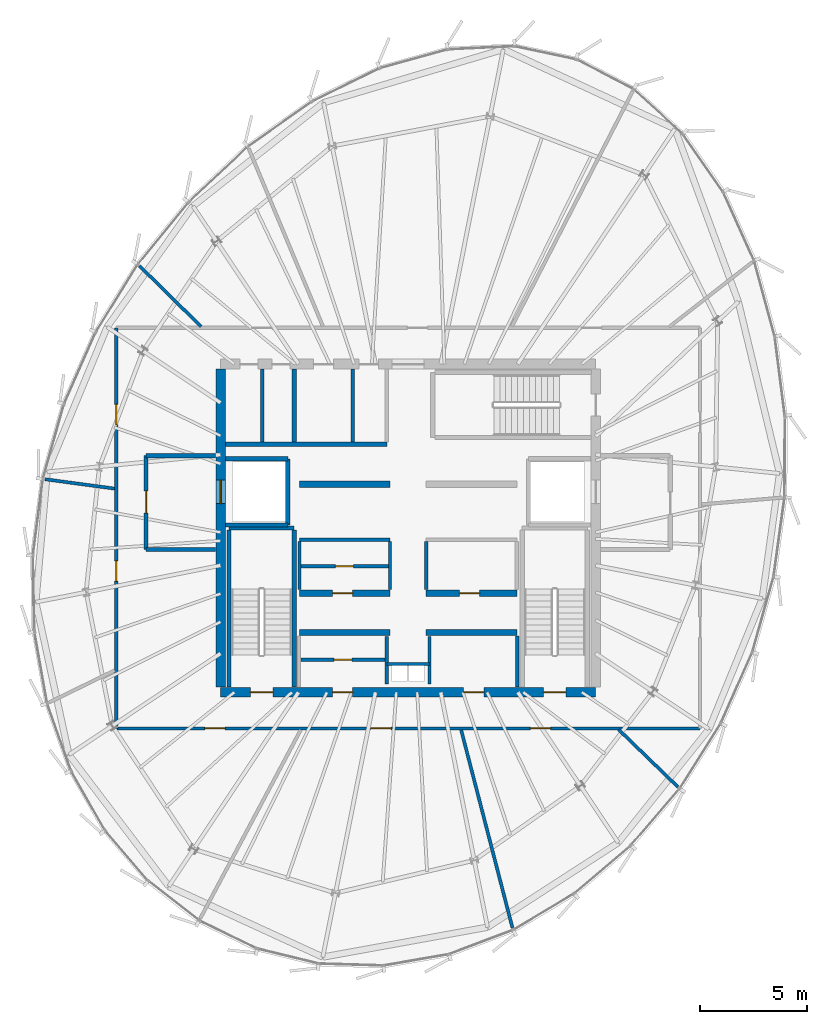
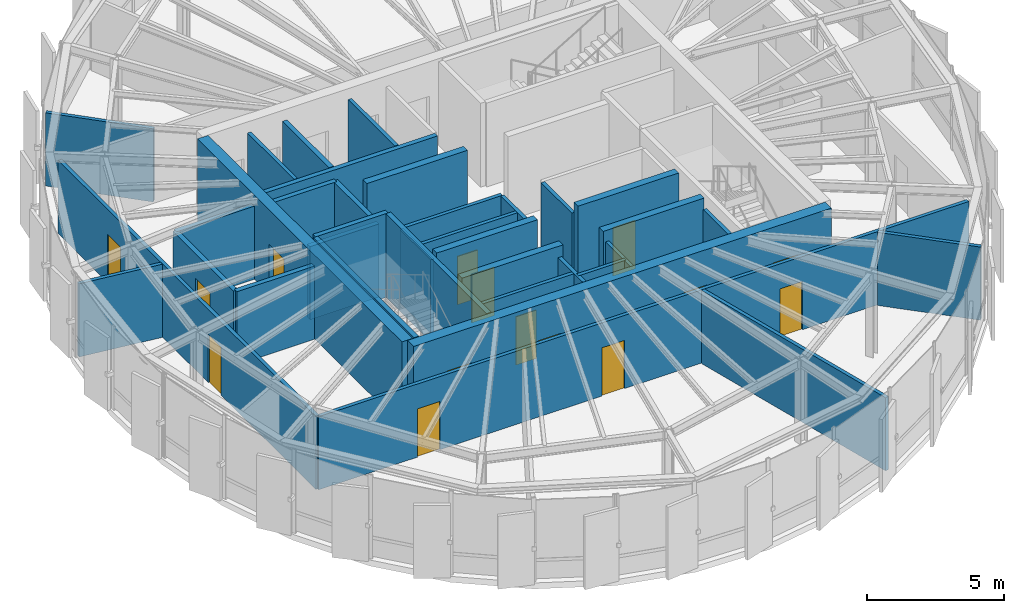
# One storey, part 21 of 26: 36 walls, 15 doors, 15 openings.
"""IFC4 building model written with IfcOpenShell, lengths in metres."""

from ifc_helpers import new_model, si_unit, direction, frame, frame_2d, origin, place, context, subcontext, project, spatial, rectangle, extrude, source, transform, mapped, material, layer, layer_set, type_object, element, fill, save


model = new_model("IFC4")

# Units and contexts
model_context = context("Model", 3, precision=1e-05, world=origin(), true_north=direction((0.0, 1.0)))
body_context = subcontext(model_context, "Body", "Model", "MODEL_VIEW")
ifc_project = project(units=[si_unit("LENGTHUNIT", "METRE"), si_unit("AREAUNIT", "SQUARE_METRE"), si_unit("VOLUMEUNIT", "CUBIC_METRE"), si_unit("PLANEANGLEUNIT", "RADIAN"), si_unit("MASSUNIT", "GRAM", prefix="KILO"), si_unit("THERMODYNAMICTEMPERATUREUNIT", "KELVIN")], contexts=[model_context])

# Site, building, storey
site_placement = place(None, origin())
site = spatial("IfcSite", under=ifc_project, at=site_placement, CompositionType="ELEMENT")
building_placement = place(site_placement, origin())
building = spatial("IfcBuilding", under=site, at=building_placement, Name="Kethvar Cultural Tower", CompositionType="ELEMENT")
storey_placement = place(building_placement, frame((0.0, 0.0, 316.300048828125)))
storey = spatial("IfcBuildingStorey", under=building, at=storey_placement, Name="L84", CompositionType="ELEMENT", Elevation=316.300048828125)

# Wall, openings, doors
ifc_material_1 = material(Name="Concrete C50/60", Category="concrete")
ifc_layer_1 = layer(ifc_material_1, 0.449951171875, Name="Concrete C50/60", Category="concrete")
ifc_layer_set_1 = layer_set([ifc_layer_1], Name="Concrete C50/60 (450 mm)")
wall_type_1 = type_object("IfcWallType", Name="WL-CORE-450", PredefinedType="SHEAR", material=ifc_layer_set_1)
wall_1_placement = place(storey_placement, frame((38.0, 20.10009765625, 0.0), z_axis=(0.0, 0.0, 1.0), x_axis=(1.0, 0.0, 0.0)))
wall_1 = element("IfcWall", 1, at=wall_1_placement, inside=storey, type_object=wall_type_1, Name="L84 Core Shear Wall S", PredefinedType="SHEAR", context=body_context, shape_type="SweptSolid", body=[
    extrude(rectangle(XDim=17.60009765625, YDim=0.449951171875, at=frame_2d((8.800048828125, 0.0))), origin(), (0.0, 0.0, 1.0), 3.73486328125),
])
opening_1_placement = place(wall_1_placement, frame((1.39990234375, 0.0, 0.0)))
opening_1 = element("IfcOpeningElement", 2, at=opening_1_placement, cuts=wall_1, Name="Opening D-L84-S1", PredefinedType="OPENING", context=body_context, shape_type="SweptSolid", body=[
    extrude(rectangle(XDim=1.050048828125, YDim=2.14990234375, at=frame_2d((0.52490234375, 1.074951171875))), frame((0.0, 0.23486328125, 0.0), z_axis=(0.0, -1.0, 0.0), x_axis=(1.0, 0.0, 0.0)), (0.0, 0.0, 1.0), 0.469970703125),
])
opening_2_placement = place(wall_1_placement, frame((15.14990234375, 0.0, 0.0)))
opening_2 = element("IfcOpeningElement", 3, at=opening_2_placement, cuts=wall_1, Name="Opening D-L84-ST2", PredefinedType="OPENING", context=body_context, shape_type="SweptSolid", body=[
    extrude(rectangle(XDim=1.050048828125, YDim=2.14990234375, at=frame_2d((0.52490234375, 1.074951171875))), frame((0.0, 0.23486328125, 0.0), z_axis=(0.0, -1.0, 0.0), x_axis=(1.0, 0.0, 0.0)), (0.0, 0.0, 1.0), 0.469970703125),
])
opening_3_placement = place(wall_1_placement, frame((5.25, 0.0, 0.0)))
opening_3 = element("IfcOpeningElement", 4, at=opening_3_placement, cuts=wall_1, Name="Opening D-L84-V1", PredefinedType="OPENING", context=body_context, shape_type="SweptSolid", body=[
    extrude(rectangle(XDim=0.949951171875, YDim=2.14990234375, at=frame_2d((0.47509765625, 1.074951171875))), frame((0.0, 0.23486328125, 0.0), z_axis=(0.0, -1.0, 0.0), x_axis=(1.0, 0.0, 0.0)), (0.0, 0.0, 1.0), 0.469970703125),
])
opening_4_placement = place(wall_1_placement, frame((11.39990234375, 0.0, 0.0)))
opening_4 = element("IfcOpeningElement", 5, at=opening_4_placement, cuts=wall_1, Name="Opening D-L84-V2", PredefinedType="OPENING", context=body_context, shape_type="SweptSolid", body=[
    extrude(rectangle(XDim=0.949951171875, YDim=2.14990234375, at=frame_2d((0.47509765625, 1.074951171875))), frame((0.0, 0.23486328125, 0.0), z_axis=(0.0, -1.0, 0.0), x_axis=(1.0, 0.0, 0.0)), (0.0, 0.0, 1.0), 0.469970703125),
])
ifc_material_2 = material(Name="Steel S355J2", Category="steel")
door_type_1 = type_object("IfcDoorType", Name="DR-FD60-1050", OperationType="NOTDEFINED", PredefinedType="DOOR", material=ifc_material_2)
shared_shape_1 = source(origin(), body_context, "Body", "SweptSolid", [
    extrude(rectangle(XDim=1.050048828125, YDim=2.14990234375, at=frame_2d((0.52490234375, 1.074951171875))), frame((0.0, 0.02490234375, 0.0), z_axis=(0.0, -1.0, 0.0), x_axis=(1.0, 0.0, 0.0)), (0.0, 0.0, 1.0), 0.050048828125),
])
door_1_placement = place(opening_1_placement, origin())
door_1 = element("IfcDoor", 6, at=door_1_placement, inside=storey, type_object=door_type_1, Name="L84 Exit Stair 1 Door", OperationType="SINGLE_SWING_LEFT", OverallHeight=2.14990234375, OverallWidth=1.050048828125, PredefinedType="DOOR", context=body_context, shape_type="MappedRepresentation", body=[
    mapped(shared_shape_1, transform((0.0, 0.0, 0.0), scale=1.0)),
])
fill(opening_1, door_1)
door_2_placement = place(opening_2_placement, origin())
door_2 = element("IfcDoor", 7, at=door_2_placement, inside=storey, type_object=door_type_1, Name="L84 Exit Stair 2 Door", OperationType="SINGLE_SWING_RIGHT", OverallHeight=2.14990234375, OverallWidth=1.050048828125, PredefinedType="DOOR", context=body_context, shape_type="MappedRepresentation", body=[
    mapped(shared_shape_1, transform((0.0, 0.0, 0.0), scale=1.0)),
])
fill(opening_2, door_2)
ifc_material_3 = material(Name="Architectural Oak Timber", Category="wood")
door_type_2 = type_object("IfcDoorType", Name="DR-FD30-950", OperationType="NOTDEFINED", PredefinedType="DOOR", material=ifc_material_3)
shared_shape_2 = source(origin(), body_context, "Body", "SweptSolid", [
    extrude(rectangle(XDim=0.949951171875, YDim=2.14990234375, at=frame_2d((0.47509765625, 1.074951171875))), frame((0.0, 0.02490234375, 0.0), z_axis=(0.0, -1.0, 0.0), x_axis=(1.0, 0.0, 0.0)), (0.0, 0.0, 1.0), 0.050048828125),
])
door_3_placement = place(opening_3_placement, origin())
door_3 = element("IfcDoor", 8, at=door_3_placement, inside=storey, type_object=door_type_2, Name="L84 Reclaimed West South Door", OperationType="SINGLE_SWING_LEFT", OverallHeight=2.14990234375, OverallWidth=0.949951171875, PredefinedType="DOOR", context=body_context, shape_type="MappedRepresentation", body=[
    mapped(shared_shape_2, transform((0.0, 0.0, 0.0), scale=1.0)),
])
fill(opening_3, door_3)
door_4_placement = place(opening_4_placement, origin())
door_4 = element("IfcDoor", 9, at=door_4_placement, inside=storey, type_object=door_type_2, Name="L84 Reclaimed East Server Door", OperationType="SINGLE_SWING_RIGHT", OverallHeight=2.14990234375, OverallWidth=0.949951171875, PredefinedType="DOOR", context=body_context, shape_type="MappedRepresentation", body=[
    mapped(shared_shape_2, transform((0.0, 0.0, 0.0), scale=1.0)),
])
fill(opening_4, door_4)

# Wall, opening, door
wall_2_placement = place(storey_placement, frame((38.0, 35.260009765625, 0.0), z_axis=(0.0, 0.0, 1.0), x_axis=(0.0, -1.0, 0.0)))
wall_2 = element("IfcWall", 10, at=wall_2_placement, inside=storey, type_object=wall_type_1, Name="L84 Core Shear Wall W", PredefinedType="SHEAR", context=body_context, shape_type="SweptSolid", body=[
    extrude(rectangle(XDim=14.919921875, YDim=0.449951171875, at=frame_2d((7.4599609375, 0.0))), origin(), (0.0, 0.0, 1.0), 3.73486328125),
])
opening_5_placement = place(wall_2_placement, frame((5.2099609375, 0.0, 0.0)))
opening_5 = element("IfcOpeningElement", 11, at=opening_5_placement, cuts=wall_2, Name="Opening LD-1", PredefinedType="OPENING", context=body_context, shape_type="SweptSolid", body=[
    extrude(rectangle(XDim=1.10009765625, YDim=2.199951171875, at=frame_2d((0.550048828125, 1.10009765625))), frame((0.0, 0.23486328125, 0.0), z_axis=(0.0, -1.0, 0.0), x_axis=(1.0, 0.0, 0.0)), (0.0, 0.0, 1.0), 0.469970703125),
])
door_type_3 = type_object("IfcDoorType", Name="DR-LIFT-SLIDE-1100", OperationType="NOTDEFINED", PredefinedType="DOOR", material=ifc_material_2)
shared_shape_3 = source(origin(), body_context, "Body", "SweptSolid", [
    extrude(rectangle(XDim=1.10009765625, YDim=2.199951171875, at=frame_2d((0.550048828125, 1.10009765625))), frame((0.0, 0.02490234375, 0.0), z_axis=(0.0, -1.0, 0.0), x_axis=(1.0, 0.0, 0.0)), (0.0, 0.0, 1.0), 0.050048828125),
])
door_5_placement = place(opening_5_placement, origin())
door_5 = element("IfcDoor", 12, at=door_5_placement, inside=storey, type_object=door_type_3, Name="L84 Firefighting Lift Landing Door FFL-01", OperationType="SLIDING_TO_LEFT", OverallHeight=2.199951171875, OverallWidth=1.10009765625, PredefinedType="DOOR", context=body_context, shape_type="MappedRepresentation", body=[
    mapped(shared_shape_3, transform((0.0, 0.0, 0.0), scale=1.0)),
])
fill(opening_5, door_5)

# Walls
ifc_material_4 = material(Name="Gypsum Fireboard Partition")
ifc_layer_2 = layer(ifc_material_4, 0.14990234375, Name="Gypsum Fireboard Partition")
ifc_layer_set_2 = layer_set([ifc_layer_2], Name="Gypsum Fireboard Partition (150 mm)")
wall_type_2 = type_object("IfcWallType", Name="WL-FIRE-150", PredefinedType="PARTITIONING", material=ifc_layer_set_2)
wall_3_placement = place(storey_placement, frame((45.800048828125, 21.419921875, 0.0), z_axis=(0.0, 0.0, 1.0), x_axis=(1.0, 0.0, 0.0)))
element("IfcWall", 13, at=wall_3_placement, inside=storey, type_object=wall_type_2, Name="L84 Core Riser Wall", PredefinedType="PARTITIONING", context=body_context, shape_type="SweptSolid", body=[
    extrude(rectangle(XDim=2.0, YDim=0.14990234375, at=frame_2d((1.0, 0.0))), origin(), (0.0, 0.0, 1.0), 3.260009765625),
])
for number, where, z_axis, x_axis, name in (
    (14, (45.800048828125, 20.47998046875, 0.0), (0.0, 0.0, 1.0), (0.0, 1.0, 0.0), "L84 Core Riser West Wall"),
    (15, (47.800048828125, 20.47998046875, 0.0), (0.0, 0.0, 1.0), (0.0, 1.0, 0.0), "L84 Core Riser East Wall"),
):
    element("IfcWall", number, at=place(storey_placement, frame(where, z_axis=z_axis, x_axis=x_axis)), inside=storey, type_object=wall_type_2, Name=name, PredefinedType="PARTITIONING", context=body_context, shape_type="SweptSolid", body=[
        extrude(rectangle(XDim=2.239990234375, YDim=0.14990234375, at=frame_2d((1.1201171875, 0.0))), origin(), (0.0, 0.0, 1.0), 3.260009765625),
    ])
wall_4_placement = place(storey_placement, frame((51.919921875, 20.3349609375, 0.0), z_axis=(0.0, 0.0, 1.0), x_axis=(0.0, 1.0, 0.0)))
element("IfcWall", 16, at=wall_4_placement, inside=storey, type_object=wall_type_2, Name="L84 Reclaimed East Outer Wall", PredefinedType="PARTITIONING", context=body_context, shape_type="SweptSolid", body=[
    extrude(rectangle(XDim=2.39501953125, YDim=0.14990234375, at=frame_2d((1.197509765625, 0.0))), origin(), (0.0, 0.0, 1.0), 3.260009765625),
])

# Wall, opening, door
wall_5_placement = place(storey_placement, frame((41.760009765625, 21.6201171875, 0.0), z_axis=(0.0, 0.0, 1.0), x_axis=(1.0, 0.0, 0.0)))
wall_5 = element("IfcWall", 17, at=wall_5_placement, inside=storey, type_object=wall_type_2, Name="L84 Vault Gallery Wall W", PredefinedType="PARTITIONING", context=body_context, shape_type="SweptSolid", body=[
    extrude(rectangle(XDim=3.9599609375, YDim=0.14990234375, at=frame_2d((1.97998046875, 0.0))), origin(), (0.0, 0.0, 1.0), 3.260009765625),
])
opening_6_placement = place(wall_5_placement, frame((1.550048828125, 0.0, 0.0)))
opening_6 = element("IfcOpeningElement", 18, at=opening_6_placement, cuts=wall_5, Name="Opening D-L84-V3", PredefinedType="OPENING", context=body_context, shape_type="SweptSolid", body=[
    extrude(rectangle(XDim=0.85009765625, YDim=2.14990234375, at=frame_2d((0.425048828125, 1.074951171875))), frame((0.0, 0.0849609375, 0.0), z_axis=(0.0, -1.0, 0.0), x_axis=(1.0, 0.0, 0.0)), (0.0, 0.0, 1.0), 0.169921875),
])
door_type_4 = type_object("IfcDoorType", Name="DR-FD30-850", OperationType="NOTDEFINED", PredefinedType="DOOR", material=ifc_material_2)
shared_shape_4 = source(origin(), body_context, "Body", "SweptSolid", [
    extrude(rectangle(XDim=0.85009765625, YDim=2.14990234375, at=frame_2d((0.425048828125, 1.074951171875))), frame((0.0, 0.02490234375, 0.0), z_axis=(0.0, -1.0, 0.0), x_axis=(1.0, 0.0, 0.0)), (0.0, 0.0, 1.0), 0.050048828125),
])
door_6_placement = place(opening_6_placement, origin())
door_6 = element("IfcDoor", 19, at=door_6_placement, inside=storey, type_object=door_type_4, Name="L84 Inner Vault Gallery Door", OperationType="SINGLE_SWING_LEFT", OverallHeight=2.14990234375, OverallWidth=0.85009765625, PredefinedType="DOOR", context=body_context, shape_type="MappedRepresentation", body=[
    mapped(shared_shape_4, transform((0.0, 0.0, 0.0), scale=1.0)),
])
fill(opening_6, door_6)

# Walls
wall_6_placement = place(storey_placement, frame((41.699951171875, 27.25, 0.0), z_axis=(0.0, 0.0, 1.0), x_axis=(1.0, 0.0, 0.0)))
element("IfcWall", 20, at=wall_6_placement, inside=storey, type_object=wall_type_2, Name="L84 Reclaimed Mid Wall W", PredefinedType="PARTITIONING", context=body_context, shape_type="SweptSolid", body=[
    extrude(rectangle(XDim=4.25, YDim=0.14990234375, at=frame_2d((2.125, 0.0))), origin(), (0.0, 0.0, 1.0), 3.260009765625),
])
for number, where, z_axis, x_axis, name in (
    (21, (41.699951171875, 24.919921875, 0.0), (0.0, 0.0, 1.0), (0.0, 1.0, 0.0), "L84 Reclaimed Mid Outer W"),
    (22, (45.949951171875, 24.919921875, 0.0), (0.0, 0.0, 1.0), (0.0, 1.0, 0.0), "L84 Reclaimed Mid Spine W"),
    (23, (47.64990234375, 24.919921875, 0.0), (0.0, 0.0, 1.0), (0.0, 1.0, 0.0), "L84 Reclaimed Mid Spine E"),
):
    element("IfcWall", number, at=place(storey_placement, frame(where, z_axis=z_axis, x_axis=x_axis)), inside=storey, type_object=wall_type_2, Name=name, PredefinedType="PARTITIONING", context=body_context, shape_type="SweptSolid", body=[
        extrude(rectangle(XDim=2.239990234375, YDim=0.14990234375, at=frame_2d((1.1201171875, 0.0))), origin(), (0.0, 0.0, 1.0), 3.260009765625),
    ])

# Wall, opening, door
wall_7_placement = place(storey_placement, frame((41.780029296875, 26.010009765625, 0.0), z_axis=(0.0, 0.0, 1.0), x_axis=(1.0, 0.0, 0.0)))
wall_7 = element("IfcWall", 24, at=wall_7_placement, inside=storey, type_object=wall_type_2, Name="L84 Mid Gallery Wall W", PredefinedType="PARTITIONING", context=body_context, shape_type="SweptSolid", body=[
    extrude(rectangle(XDim=4.090087890625, YDim=0.14990234375, at=frame_2d((2.044921875, 0.0))), origin(), (0.0, 0.0, 1.0), 3.260009765625),
])
opening_7_placement = place(wall_7_placement, frame((1.60009765625, 0.0, 0.0)))
opening_7 = element("IfcOpeningElement", 25, at=opening_7_placement, cuts=wall_7, Name="Opening D-L84-M3", PredefinedType="OPENING", context=body_context, shape_type="SweptSolid", body=[
    extrude(rectangle(XDim=0.85009765625, YDim=2.14990234375, at=frame_2d((0.425048828125, 1.074951171875))), frame((0.0, 0.0849609375, 0.0), z_axis=(0.0, -1.0, 0.0), x_axis=(1.0, 0.0, 0.0)), (0.0, 0.0, 1.0), 0.169921875),
])
door_7_placement = place(opening_7_placement, origin())
door_7 = element("IfcDoor", 26, at=door_7_placement, inside=storey, type_object=door_type_4, Name="L84 Fibre Inner Door", OperationType="SINGLE_SWING_LEFT", OverallHeight=2.14990234375, OverallWidth=0.85009765625, PredefinedType="DOOR", context=body_context, shape_type="MappedRepresentation", body=[
    mapped(shared_shape_4, transform((0.0, 0.0, 0.0), scale=1.0)),
])
fill(opening_7, door_7)

# Wall
wall_8_placement = place(storey_placement, frame((39.949951171875, 31.85009765625, 0.0), z_axis=(0.0, 0.0, 1.0), x_axis=(0.0, 1.0, 0.0)))
element("IfcWall", 27, at=wall_8_placement, inside=storey, type_object=wall_type_2, Name="L84 NW Riser Divider", PredefinedType="PARTITIONING", context=body_context, shape_type="SweptSolid", body=[
    extrude(rectangle(XDim=3.414794921875, YDim=0.14990234375, at=frame_2d((1.70751953125, 0.0))), origin(), (0.0, 0.0, 1.0), 3.260009765625),
])

# Wall, openings, doors
wall_9_placement = place(storey_placement, frame((33.10009765625, 18.39990234375, 0.0), z_axis=(0.0, 0.0, 1.0), x_axis=(1.0, 0.0, 0.0)))
wall_9 = element("IfcWall", 28, at=wall_9_placement, inside=storey, type_object=wall_type_2, Name="L84 Corridor Rated Wall S", PredefinedType="PARTITIONING", context=body_context, shape_type="SweptSolid", body=[
    extrude(rectangle(XDim=27.39990234375, YDim=0.14990234375, at=frame_2d((13.699951171875, 0.0))), origin(), (0.0, 0.0, 1.0), 3.260009765625),
])
opening_8_placement = place(wall_9_placement, frame((4.163330078125, 0.0, 0.0)))
opening_8 = element("IfcOpeningElement", 29, at=opening_8_placement, cuts=wall_9, Name="Opening D-L84-01", PredefinedType="OPENING", context=body_context, shape_type="SweptSolid", body=[
    extrude(rectangle(XDim=0.949951171875, YDim=2.14990234375, at=frame_2d((0.47509765625, 1.074951171875))), frame((0.0, 0.0849609375, 0.0), z_axis=(0.0, -1.0, 0.0), x_axis=(1.0, 0.0, 0.0)), (0.0, 0.0, 1.0), 0.169921875),
])
opening_9_placement = place(wall_9_placement, frame((11.944580078125, 0.0, 0.0)))
opening_9 = element("IfcOpeningElement", 30, at=opening_9_placement, cuts=wall_9, Name="Opening D-L84-02", PredefinedType="OPENING", context=body_context, shape_type="SweptSolid", body=[
    extrude(rectangle(XDim=0.949951171875, YDim=2.14990234375, at=frame_2d((0.47509765625, 1.074951171875))), frame((0.0, 0.0849609375, 0.0), z_axis=(0.0, -1.0, 0.0), x_axis=(1.0, 0.0, 0.0)), (0.0, 0.0, 1.0), 0.169921875),
])
opening_10_placement = place(wall_9_placement, frame((19.43408203125, 0.0, 0.0)))
opening_10 = element("IfcOpeningElement", 31, at=opening_10_placement, cuts=wall_9, Name="Opening D-L84-03", PredefinedType="OPENING", context=body_context, shape_type="SweptSolid", body=[
    extrude(rectangle(XDim=0.949951171875, YDim=2.14990234375, at=frame_2d((0.47509765625, 1.074951171875))), frame((0.0, 0.0849609375, 0.0), z_axis=(0.0, -1.0, 0.0), x_axis=(1.0, 0.0, 0.0)), (0.0, 0.0, 1.0), 0.169921875),
])
door_8_placement = place(opening_8_placement, origin())
door_8 = element("IfcDoor", 32, at=door_8_placement, inside=storey, type_object=door_type_2, Name="L84 Crown Chiller Plant Room 01 Door", OperationType="SINGLE_SWING_LEFT", OverallHeight=2.14990234375, OverallWidth=0.949951171875, PredefinedType="DOOR", context=body_context, shape_type="MappedRepresentation", body=[
    mapped(shared_shape_2, transform((0.0, 0.0, 0.0), scale=1.0)),
])
fill(opening_8, door_8)
door_9_placement = place(opening_9_placement, origin())
door_9 = element("IfcDoor", 33, at=door_9_placement, inside=storey, type_object=door_type_2, Name="L84 Primary AHU Mechanical Plant Room 02 Door", OperationType="SINGLE_SWING_RIGHT", OverallHeight=2.14990234375, OverallWidth=0.949951171875, PredefinedType="DOOR", context=body_context, shape_type="MappedRepresentation", body=[
    mapped(shared_shape_2, transform((0.0, 0.0, 0.0), scale=1.0)),
])
fill(opening_9, door_9)
door_10_placement = place(opening_10_placement, origin())
door_10 = element("IfcDoor", 34, at=door_10_placement, inside=storey, type_object=door_type_2, Name="L84 Broadcast Transmitter Plant Room 03 Door", OperationType="SINGLE_SWING_LEFT", OverallHeight=2.14990234375, OverallWidth=0.949951171875, PredefinedType="DOOR", context=body_context, shape_type="MappedRepresentation", body=[
    mapped(shared_shape_2, transform((0.0, 0.0, 0.0), scale=1.0)),
])
fill(opening_10, door_10)

wall_10_placement = place(storey_placement, frame((33.10009765625, 37.199951171875, 0.0), z_axis=(0.0, 0.0, 1.0), x_axis=(0.0, -1.0, 0.0)))
wall_10 = element("IfcWall", 35, at=wall_10_placement, inside=storey, type_object=wall_type_2, Name="L84 Corridor Rated Wall W", PredefinedType="PARTITIONING", context=body_context, shape_type="SweptSolid", body=[
    extrude(rectangle(XDim=18.800048828125, YDim=0.14990234375, at=frame_2d((9.39990234375, 0.0))), origin(), (0.0, 0.0, 1.0), 3.260009765625),
])
opening_11_placement = place(wall_10_placement, frame((3.593505859375, 0.0, 0.0)))
opening_11 = element("IfcOpeningElement", 36, at=opening_11_placement, cuts=wall_10, Name="Opening D-L84-09", PredefinedType="OPENING", context=body_context, shape_type="SweptSolid", body=[
    extrude(rectangle(XDim=0.949951171875, YDim=2.14990234375, at=frame_2d((0.47509765625, 1.074951171875))), frame((0.0, 0.0849609375, 0.0), z_axis=(0.0, -1.0, 0.0), x_axis=(1.0, 0.0, 0.0)), (0.0, 0.0, 1.0), 0.169921875),
])
opening_12_placement = place(wall_10_placement, frame((10.939208984375, 0.0, 0.0)))
opening_12 = element("IfcOpeningElement", 37, at=opening_12_placement, cuts=wall_10, Name="Opening D-L84-10", PredefinedType="OPENING", context=body_context, shape_type="SweptSolid", body=[
    extrude(rectangle(XDim=0.949951171875, YDim=2.14990234375, at=frame_2d((0.47509765625, 1.074951171875))), frame((0.0, 0.0849609375, 0.0), z_axis=(0.0, -1.0, 0.0), x_axis=(1.0, 0.0, 0.0)), (0.0, 0.0, 1.0), 0.169921875),
])
door_11_placement = place(opening_11_placement, origin())
door_11 = element("IfcDoor", 38, at=door_11_placement, inside=storey, type_object=door_type_2, Name="L84 Smoke Extract Mechanical Plant Room 09 Door", OperationType="SINGLE_SWING_LEFT", OverallHeight=2.14990234375, OverallWidth=0.949951171875, PredefinedType="DOOR", context=body_context, shape_type="MappedRepresentation", body=[
    mapped(shared_shape_2, transform((0.0, 0.0, 0.0), scale=1.0)),
])
fill(opening_11, door_11)
door_12_placement = place(opening_12_placement, origin())
door_12 = element("IfcDoor", 39, at=door_12_placement, inside=storey, type_object=door_type_2, Name="L84 Telemetry Equipment Plant Room 10 Door", OperationType="SINGLE_SWING_RIGHT", OverallHeight=2.14990234375, OverallWidth=0.949951171875, PredefinedType="DOOR", context=body_context, shape_type="MappedRepresentation", body=[
    mapped(shared_shape_2, transform((0.0, 0.0, 0.0), scale=1.0)),
])
fill(opening_12, door_12)

# Walls
wall_11_placement = place(storey_placement, frame((49.2900390625, 18.322509765625, 0.0), z_axis=(0.0, 0.0, 1.0), x_axis=(0.250860534884, -0.96802323941, 0.0)))
element("IfcWall", 40, at=wall_11_placement, inside=storey, type_object=wall_type_2, Name="L84 Radial Partition Wall 03", PredefinedType="PARTITIONING", context=body_context, shape_type="SweptSolid", body=[
    extrude(rectangle(XDim=9.588134765625, YDim=0.14990234375, at=frame_2d((4.7939453125, 0.0))), origin(), (0.0, 0.0, 1.0), 3.260009765625),
])
wall_12_placement = place(storey_placement, frame((56.68017578125, 18.34423828125, 0.0), z_axis=(0.0, 0.0, 1.0), x_axis=(0.718355321418, -0.695676384672, 0.0)))
element("IfcWall", 41, at=wall_12_placement, inside=storey, type_object=wall_type_2, Name="L84 Radial Partition Wall 04", PredefinedType="PARTITIONING", context=body_context, shape_type="SweptSolid", body=[
    extrude(rectangle(XDim=3.87548828125, YDim=0.14990234375, at=frame_2d((1.937744140625, 0.0))), origin(), (0.0, 0.0, 1.0), 3.260009765625),
])
wall_13_placement = place(storey_placement, frame((37.084228515625, 37.256103515625, 0.0), z_axis=(0.0, 0.0, 1.0), x_axis=(-0.712347608645, 0.701826819421, 0.0)))
element("IfcWall", 42, at=wall_13_placement, inside=storey, type_object=wall_type_2, Name="L84 Radial Partition Wall 09", PredefinedType="PARTITIONING", context=body_context, shape_type="SweptSolid", body=[
    extrude(rectangle(XDim=4.06103515625, YDim=0.14990234375, at=frame_2d((2.030517578125, 0.0))), origin(), (0.0, 0.0, 1.0), 3.260009765625),
])
wall_14_placement = place(storey_placement, frame((33.020751953125, 29.653564453125, 0.0), z_axis=(0.0, 0.0, 1.0), x_axis=(-0.99106425122, 0.133385343851, 0.0)))
element("IfcWall", 43, at=wall_14_placement, inside=storey, type_object=wall_type_2, Name="L84 Radial Partition Wall 10", PredefinedType="PARTITIONING", context=body_context, shape_type="SweptSolid", body=[
    extrude(rectangle(XDim=3.285400390625, YDim=0.14990234375, at=frame_2d((1.642578125, 0.0))), origin(), (0.0, 0.0, 1.0), 3.260009765625),
])
ifc_material_5 = material(Name="Concrete C40/50", Category="concrete")
ifc_layer_3 = layer(ifc_material_5, 0.199951171875, Name="Concrete C40/50", Category="concrete")
ifc_layer_set_3 = layer_set([ifc_layer_3], Name="Concrete C40/50 (200 mm)")
wall_type_3 = type_object("IfcWallType", Name="WL-FIRE-200", PredefinedType="PARTITIONING", material=ifc_layer_set_3)
wall_15_placement = place(storey_placement, frame((41.14990234375, 27.949951171875, 0.0), z_axis=(0.0, 0.0, 1.0), x_axis=(0.0, 1.0, 0.0)))
element("IfcWall", 44, at=wall_15_placement, inside=storey, type_object=wall_type_3, Name="L84 FFL-01 Shaft Inner Wall", PredefinedType="PARTITIONING", context=body_context, shape_type="SweptSolid", body=[
    extrude(rectangle(XDim=3.10009765625, YDim=0.199951171875, at=frame_2d((1.550048828125, 0.0))), origin(), (0.0, 0.0, 1.0), 3.260009765625),
])
for number, where, z_axis, x_axis, name in (
    (45, (38.235107421875, 27.949951171875, 0.0), (0.0, 0.0, 1.0), (1.0, 0.0, 0.0), "L84 FFL-01 Shaft South Wall"),
    (46, (38.235107421875, 31.050048828125, 0.0), (0.0, 0.0, 1.0), (1.0, 0.0, 0.0), "L84 FFL-01 Shaft North Wall"),
):
    element("IfcWall", number, at=place(storey_placement, frame(where, z_axis=z_axis, x_axis=x_axis)), inside=storey, type_object=wall_type_3, Name=name, PredefinedType="PARTITIONING", context=body_context, shape_type="SweptSolid", body=[
        extrude(rectangle(XDim=2.914794921875, YDim=0.199951171875, at=frame_2d((1.45751953125, 0.0))), origin(), (0.0, 0.0, 1.0), 3.260009765625),
    ])

# Wall, opening, door
wall_16_placement = place(storey_placement, frame((34.5, 31.199951171875, 0.0), z_axis=(0.0, 0.0, 1.0), x_axis=(0.0, -1.0, 0.0)))
wall_16 = element("IfcWall", 47, at=wall_16_placement, inside=storey, type_object=wall_type_3, Name="L84 Firefighting Lobby 1 Wall", PredefinedType="PARTITIONING", context=body_context, shape_type="SweptSolid", body=[
    extrude(rectangle(XDim=4.39990234375, YDim=0.199951171875, at=frame_2d((2.199951171875, 0.0))), origin(), (0.0, 0.0, 1.0), 3.260009765625),
])
opening_13_placement = place(wall_16_placement, frame((1.64990234375, 0.0, 0.0)))
opening_13 = element("IfcOpeningElement", 48, at=opening_13_placement, cuts=wall_16, Name="Opening D-L84-F1", PredefinedType="OPENING", context=body_context, shape_type="SweptSolid", body=[
    extrude(rectangle(XDim=1.050048828125, YDim=2.14990234375, at=frame_2d((0.52490234375, 1.074951171875))), frame((0.0, 0.10986328125, 0.0), z_axis=(0.0, -1.0, 0.0), x_axis=(1.0, 0.0, 0.0)), (0.0, 0.0, 1.0), 0.219970703125),
])
door_13_placement = place(opening_13_placement, origin())
door_13 = element("IfcDoor", 49, at=door_13_placement, inside=storey, type_object=door_type_1, Name="L84 Firefighting Lobby 1 Fire Door", OperationType="SINGLE_SWING_LEFT", OverallHeight=2.14990234375, OverallWidth=1.050048828125, PredefinedType="DOOR", context=body_context, shape_type="MappedRepresentation", body=[
    mapped(shared_shape_1, transform((0.0, 0.0, 0.0), scale=1.0)),
])
fill(opening_13, door_13)

# Walls
for number, where, z_axis, x_axis, name in (
    (50, (34.5, 26.800048828125, 0.0), (0.0, 0.0, 1.0), (1.0, 0.0, 0.0), "L84 FF Lobby 1 South Wall"),
    (51, (34.5, 31.199951171875, 0.0), (0.0, 0.0, 1.0), (1.0, 0.0, 0.0), "L84 FF Lobby 1 North Wall"),
):
    element("IfcWall", number, at=place(storey_placement, frame(where, z_axis=z_axis, x_axis=x_axis)), inside=storey, type_object=wall_type_3, Name=name, PredefinedType="PARTITIONING", context=body_context, shape_type="SweptSolid", body=[
        extrude(rectangle(XDim=3.264892578125, YDim=0.199951171875, at=frame_2d((1.63232421875, 0.0))), origin(), (0.0, 0.0, 1.0), 3.260009765625),
    ])
wall_17_placement = place(storey_placement, frame((41.449951171875, 31.85009765625, 0.0), z_axis=(0.0, 0.0, 1.0), x_axis=(0.0, 1.0, 0.0)))
element("IfcWall", 52, at=wall_17_placement, inside=storey, type_object=wall_type_3, Name="L84 NW Core Pocket Wall", PredefinedType="PARTITIONING", context=body_context, shape_type="SweptSolid", body=[
    extrude(rectangle(XDim=3.414794921875, YDim=0.199951171875, at=frame_2d((1.70751953125, 0.0))), origin(), (0.0, 0.0, 1.0), 3.260009765625),
])
wall_18_placement = place(storey_placement, frame((38.235107421875, 31.72998046875, 0.0), z_axis=(0.0, 0.0, 1.0), x_axis=(1.0, 0.0, 0.0)))
element("IfcWall", 53, at=wall_18_placement, inside=storey, type_object=wall_type_3, Name="L84 North Core Sanitary South Wall", PredefinedType="PARTITIONING", context=body_context, shape_type="SweptSolid", body=[
    extrude(rectangle(XDim=7.56494140625, YDim=0.199951171875, at=frame_2d((3.782470703125, 0.0))), origin(), (0.0, 0.0, 1.0), 3.260009765625),
])
ifc_material_6 = material(Name="Moisture-Resistant Sanitary Chase Wall")
ifc_layer_4 = layer(ifc_material_6, 0.14990234375, Name="Moisture-Resistant Sanitary Chase Wall")
ifc_layer_set_4 = layer_set([ifc_layer_4], Name="Moisture-Resistant Sanitary Chase Wall (150 mm)")
wall_type_4 = type_object("IfcWallType", Name="WL-PLUMB-150", PredefinedType="PLUMBINGWALL", material=ifc_layer_set_4)
wall_19_placement = place(storey_placement, frame((44.199951171875, 31.85009765625, 0.0), z_axis=(0.0, 0.0, 1.0), x_axis=(0.0, 1.0, 0.0)))
element("IfcWall", 54, at=wall_19_placement, inside=storey, type_object=wall_type_4, Name="L84 Sanitary Plumbing Wall", PredefinedType="PLUMBINGWALL", context=body_context, shape_type="SweptSolid", body=[
    extrude(rectangle(XDim=3.414794921875, YDim=0.14990234375, at=frame_2d((1.70751953125, 0.0))), origin(), (0.0, 0.0, 1.0), 3.260009765625),
])
ifc_layer_5 = layer(ifc_material_1, 0.300048828125, Name="Concrete C50/60", Category="concrete")
ifc_layer_set_5 = layer_set([ifc_layer_5], Name="Concrete C50/60 (300 mm)")
wall_type_5 = type_object("IfcWallType", Name="WL-SHAFT-300", PredefinedType="SHEAR", material=ifc_layer_set_5)
for number, where, z_axis, x_axis, name in (
    (55, (41.699951171875, 22.89990234375, 0.0), (0.0, 0.0, 1.0), (1.0, 0.0, 0.0), "L84 Core Lift Spine Wall MID1W"),
    (56, (47.64990234375, 22.89990234375, 0.0), (0.0, 0.0, 1.0), (1.0, 0.0, 0.0), "L84 Core Lift Spine Wall MID1E"),
):
    element("IfcWall", number, at=place(storey_placement, frame(where, z_axis=z_axis, x_axis=x_axis)), inside=storey, type_object=wall_type_5, Name=name, PredefinedType="SHEAR", context=body_context, shape_type="SweptSolid", body=[
        extrude(rectangle(XDim=4.25, YDim=0.300048828125, at=frame_2d((2.125, 0.0))), origin(), (0.0, 0.0, 1.0), 3.73486328125),
    ])

# Wall, opening, door
wall_20_placement = place(storey_placement, frame((41.699951171875, 24.75, 0.0), z_axis=(0.0, 0.0, 1.0), x_axis=(1.0, 0.0, 0.0)))
wall_20 = element("IfcWall", 57, at=wall_20_placement, inside=storey, type_object=wall_type_5, Name="L84 Core Lift Spine Wall MID2W", PredefinedType="SHEAR", context=body_context, shape_type="SweptSolid", body=[
    extrude(rectangle(XDim=4.25, YDim=0.300048828125, at=frame_2d((2.125, 0.0))), origin(), (0.0, 0.0, 1.0), 3.73486328125),
])
opening_14_placement = place(wall_20_placement, frame((1.550048828125, 0.0, 0.0)))
opening_14 = element("IfcOpeningElement", 58, at=opening_14_placement, cuts=wall_20, Name="Opening D-L84-M1", PredefinedType="OPENING", context=body_context, shape_type="SweptSolid", body=[
    extrude(rectangle(XDim=0.949951171875, YDim=2.14990234375, at=frame_2d((0.47509765625, 1.074951171875))), frame((0.0, 0.159912109375, 0.0), z_axis=(0.0, -1.0, 0.0), x_axis=(1.0, 0.0, 0.0)), (0.0, 0.0, 1.0), 0.320068359375),
])
door_14_placement = place(opening_14_placement, origin())
door_14 = element("IfcDoor", 59, at=door_14_placement, inside=storey, type_object=door_type_2, Name="L84 Fibre Patch Door", OperationType="SINGLE_SWING_LEFT", OverallHeight=2.14990234375, OverallWidth=0.949951171875, PredefinedType="DOOR", context=body_context, shape_type="MappedRepresentation", body=[
    mapped(shared_shape_2, transform((0.0, 0.0, 0.0), scale=1.0)),
])
fill(opening_14, door_14)

wall_21_placement = place(storey_placement, frame((47.64990234375, 24.75, 0.0), z_axis=(0.0, 0.0, 1.0), x_axis=(1.0, 0.0, 0.0)))
wall_21 = element("IfcWall", 60, at=wall_21_placement, inside=storey, type_object=wall_type_5, Name="L84 Core Lift Spine Wall MID2E", PredefinedType="SHEAR", context=body_context, shape_type="SweptSolid", body=[
    extrude(rectangle(XDim=4.25, YDim=0.300048828125, at=frame_2d((2.125, 0.0))), origin(), (0.0, 0.0, 1.0), 3.73486328125),
])
opening_15_placement = place(wall_21_placement, frame((1.550048828125, 0.0, 0.0)))
opening_15 = element("IfcOpeningElement", 61, at=opening_15_placement, cuts=wall_21, Name="Opening D-L84-M2", PredefinedType="OPENING", context=body_context, shape_type="SweptSolid", body=[
    extrude(rectangle(XDim=0.949951171875, YDim=2.14990234375, at=frame_2d((0.47509765625, 1.074951171875))), frame((0.0, 0.159912109375, 0.0), z_axis=(0.0, -1.0, 0.0), x_axis=(1.0, 0.0, 0.0)), (0.0, 0.0, 1.0), 0.320068359375),
])
door_15_placement = place(opening_15_placement, origin())
door_15 = element("IfcDoor", 62, at=door_15_placement, inside=storey, type_object=door_type_2, Name="L84 Sky Archive Annex Door", OperationType="SINGLE_SWING_RIGHT", OverallHeight=2.14990234375, OverallWidth=0.949951171875, PredefinedType="DOOR", context=body_context, shape_type="MappedRepresentation", body=[
    mapped(shared_shape_2, transform((0.0, 0.0, 0.0), scale=1.0)),
])
fill(opening_15, door_15)

# Walls
wall_22_placement = place(storey_placement, frame((41.699951171875, 29.85009765625, 0.0), z_axis=(0.0, 0.0, 1.0), x_axis=(1.0, 0.0, 0.0)))
element("IfcWall", 63, at=wall_22_placement, inside=storey, type_object=wall_type_5, Name="L84 Core Lift Spine Wall MID3W", PredefinedType="SHEAR", context=body_context, shape_type="SweptSolid", body=[
    extrude(rectangle(XDim=4.25, YDim=0.300048828125, at=frame_2d((2.125, 0.0))), origin(), (0.0, 0.0, 1.0), 3.73486328125),
])
ifc_layer_6 = layer(ifc_material_1, 0.199951171875, Name="Concrete C50/60", Category="concrete")
ifc_layer_set_6 = layer_set([ifc_layer_6], Name="Concrete C50/60 (200 mm)")
wall_type_6 = type_object("IfcWallType", Name="WL-STSHAFT-200", PredefinedType="SHEAR", material=ifc_layer_set_6)
wall_23_placement = place(storey_placement, frame((38.389892578125, 27.800048828125, 0.0), z_axis=(0.0, 0.0, 1.0), x_axis=(1.0, 0.0, 0.0)))
element("IfcWall", 64, at=wall_23_placement, inside=storey, type_object=wall_type_6, Name="L84 ST-01 Stair Shaft Wall FAR", PredefinedType="SHEAR", context=body_context, shape_type="SweptSolid", body=[
    extrude(rectangle(XDim=3.06005859375, YDim=0.199951171875, at=frame_2d((1.530029296875, 0.0))), origin(), (0.0, 0.0, 1.0), 3.73486328125),
])
for number, where, z_axis, x_axis, name in (
    (65, (41.449951171875, 27.699951171875, 0.0), (0.0, 0.0, 1.0), (0.0, -1.0, 0.0), "L84 ST-01 Stair Shaft Wall LEFT"),
    (66, (38.389892578125, 20.35009765625, 0.0), (0.0, 0.0, 1.0), (0.0, 1.0, 0.0), "L84 ST-01 Stair Shaft Wall RIGHT"),
):
    element("IfcWall", number, at=place(storey_placement, frame(where, z_axis=z_axis, x_axis=x_axis)), inside=storey, type_object=wall_type_6, Name=name, PredefinedType="SHEAR", context=body_context, shape_type="SweptSolid", body=[
        extrude(rectangle(XDim=7.349853515625, YDim=0.199951171875, at=frame_2d((3.6748046875, 0.0))), origin(), (0.0, 0.0, 1.0), 3.73486328125),
    ])

save(model, "model.ifc")
